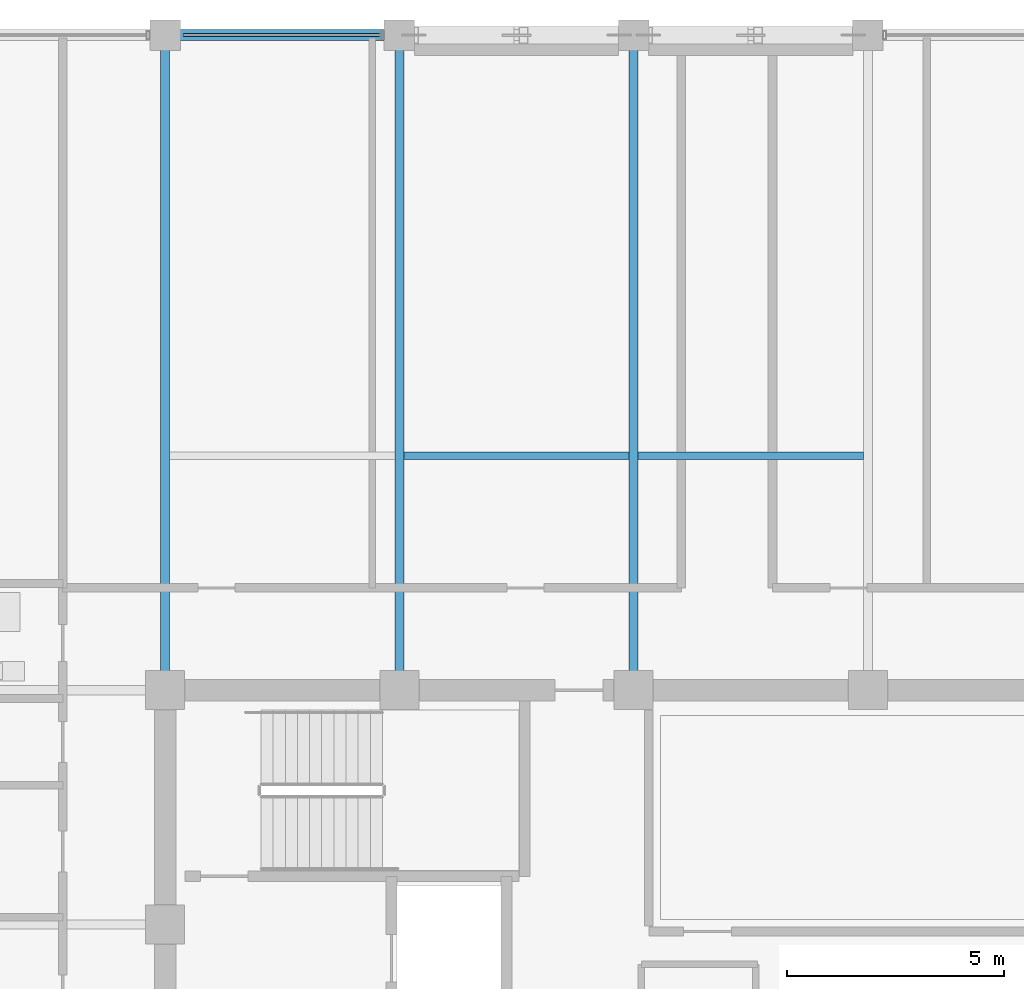
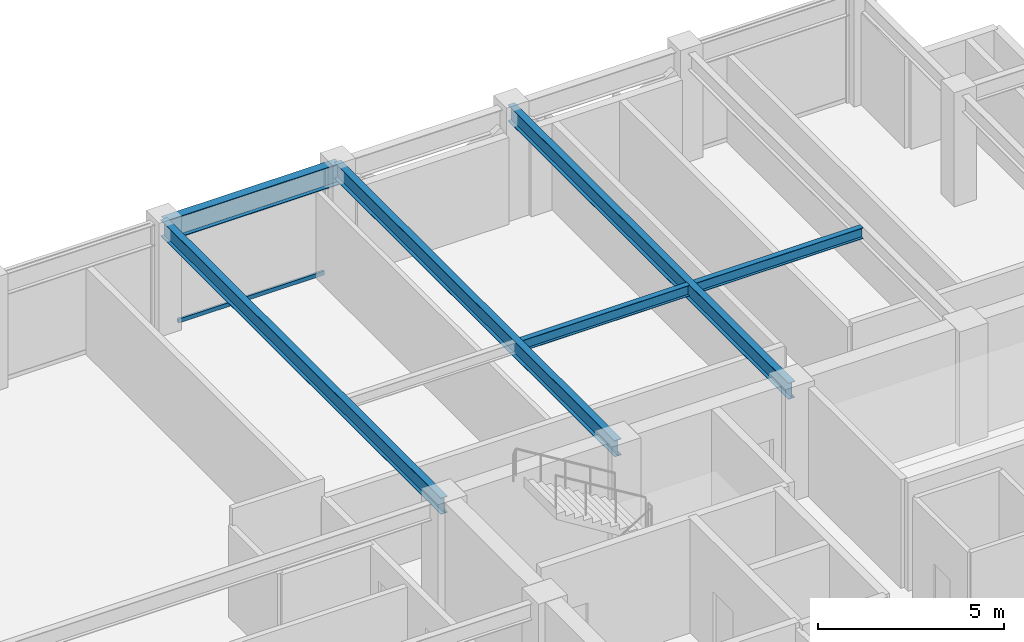
# One storey, part 18 of 30: 6 beams, 1 member, 1 element without a shape of its own.
"""IFC4 building model written with IfcOpenShell, lengths in metres."""

from ifc_helpers import new_model, si_unit, direction, frame, origin, origin_2d, place, context, subcontext, project, spatial, hollow_rectangle, i_section, extrude, material, layer, layer_set, material_profile, profile_set, type_object, element, aggregate, save


model = new_model("IFC4")

# Units and contexts
model_context = context("Model", 3, precision=1e-05, world=origin(), true_north=direction((0.0, 1.0)))
body_context = subcontext(model_context, "Body", "Model", "MODEL_VIEW")
ifc_project = project(units=[si_unit("LENGTHUNIT", "METRE"), si_unit("AREAUNIT", "SQUARE_METRE"), si_unit("VOLUMEUNIT", "CUBIC_METRE"), si_unit("PLANEANGLEUNIT", "RADIAN"), si_unit("MASSUNIT", "GRAM", prefix="KILO")], contexts=[model_context])

# Site, building, storey
site_placement = place(None, origin())
site = spatial("IfcSite", under=ifc_project, at=site_placement, CompositionType="ELEMENT")
building_placement = place(site_placement, origin())
building = spatial("IfcBuilding", under=site, at=building_placement, Name="Surkhivell Harbour Commons", CompositionType="ELEMENT")
storey_placement = place(building_placement, frame((0.0, 0.0, 296.25)))
storey = spatial("IfcBuildingStorey", under=building, at=storey_placement, Name="L77", CompositionType="ELEMENT", Elevation=296.25)

# Beams
ifc_material_1 = material(Name="Steel S355", Category="steel")
ifc_material_profile_1 = material_profile(ifc_material_1, i_section(OverallWidth=0.2099609375, OverallDepth=0.537109375, WebThickness=0.0107421875, FlangeThickness=0.017333984375, at=origin_2d()), Name="UB533x210x101")
ifc_profile_set_1 = profile_set([ifc_material_profile_1], Name="Steel S355")
beam_type_1 = type_object("IfcBeamType", Name="BM-GRD-533B", PredefinedType="BEAM", material=ifc_profile_set_1)
for number, where, z_axis, x_axis, name in (
    (1, (-10.800048828125, 10.800048828125, 3.301513671875), (0.0, 1.0, 0.0), (-1.0, 0.0, 0.0), "L77 Floor Girder (-10.8,10.8)"),
    (2, (-5.39990234375, 10.800048828125, 3.301513671875), (0.0, 1.0, 0.0), (-1.0, 0.0, 0.0), "L77 Floor Girder (-5.4,10.8)"),
    (3, (0.0, 10.800048828125, 3.301513671875), (0.0, 1.0, 0.0), (-1.0, 0.0, 0.0), "L77 Floor Girder (0.0,10.8)"),
):
    element("IfcBeam", number, at=place(storey_placement, frame(where, z_axis=z_axis, x_axis=x_axis)), inside=storey, type_object=beam_type_1, Name=name, PredefinedType="BEAM", context=body_context, shape_type="SweptSolid", body=[
        extrude(i_section(OverallWidth=0.2099609375, OverallDepth=0.537109375, WebThickness=0.0107421875, FlangeThickness=0.017333984375, at=origin_2d()), origin(), (0.0, 0.0, 1.0), 15.099853515625),
    ])
ifc_material_profile_2 = material_profile(ifc_material_1, i_section(OverallWidth=0.172119140625, OverallDepth=0.35791015625, WebThickness=0.008056640625, FlangeThickness=0.012939453125, at=origin_2d()), Name="UB356x171x57")
ifc_profile_set_2 = profile_set([ifc_material_profile_2], Name="Steel S355")
beam_type_2 = type_object("IfcBeamType", Name="BM-JST-356", PredefinedType="JOIST", material=ifc_profile_set_2)
for number, where, z_axis, x_axis, name in (
    (4, (-5.297119140625, 16.199951171875, 3.39111328125), (1.0, 0.0, 0.0), (0.0, 1.0, 0.0), "L77 North Composite Joist (-5.4)"),
    (5, (0.10302734375, 16.199951171875, 3.39111328125), (1.0, 0.0, 0.0), (0.0, 1.0, 0.0), "L77 North Composite Joist (0.0)"),
):
    element("IfcBeam", number, at=place(storey_placement, frame(where, z_axis=z_axis, x_axis=x_axis)), inside=storey, type_object=beam_type_2, Name=name, PredefinedType="JOIST", context=body_context, shape_type="SweptSolid", body=[
        extrude(i_section(OverallWidth=0.172119140625, OverallDepth=0.35791015625, WebThickness=0.008056640625, FlangeThickness=0.012939453125, at=origin_2d()), origin(), (0.0, 0.0, 1.0), 5.194091796875),
    ])
ifc_material_profile_3 = material_profile(ifc_material_1, i_section(OverallWidth=0.256103515625, OverallDepth=0.693115234375, WebThickness=0.014404296875, FlangeThickness=0.023681640625, at=origin_2d()), Name="UB686x254x170")
ifc_profile_set_3 = profile_set([ifc_material_profile_3], Name="Steel S355")
beam_type_3 = type_object("IfcBeamType", Name="BM-SPN-686", PredefinedType="SPANDREL", material=ifc_profile_set_3)
beam_placement = place(storey_placement, frame((-10.800048828125, 25.89990234375, 3.223388671875), z_axis=(1.0, 0.0, 0.0), x_axis=(0.0, 1.0, 0.0)))
element("IfcBeam", 6, at=beam_placement, inside=storey, type_object=beam_type_3, Name="L77 Tube Spandrel (-10.8,25.9)", PredefinedType="SPANDREL", context=body_context, shape_type="SweptSolid", body=[
    extrude(i_section(OverallWidth=0.256103515625, OverallDepth=0.693115234375, WebThickness=0.014404296875, FlangeThickness=0.023681640625, at=origin_2d()), origin(), (0.0, 0.0, 1.0), 5.400146484375),
])

# Curtain wall, member
ifc_material_2 = material(Name="Anodised pale-metal aluminium and insulated glazing", Category="aluminium")
ifc_layer = layer(ifc_material_2, 0.175048828125)
ifc_layer_set = layer_set([ifc_layer], Name="Anodised pale-metal aluminium and insulated glazing")
curtain_wall_type = type_object("IfcCurtainWallType", Name="CW-SYS-Z4", PredefinedType="NOTDEFINED", material=ifc_layer_set)
curtain_wall_placement = place(storey_placement, origin())
curtain_wall = element("IfcCurtainWall", 7, at=curtain_wall_placement, inside=storey, type_object=curtain_wall_type, Name="L77 Curtain Wall CW-L77-E07S2", PredefinedType="NOTDEFINED")
ifc_material_3 = material(Name="Champagne anodised aluminium alloy 6063-T6", Category="aluminium")
ifc_material_profile_4 = material_profile(ifc_material_3, hollow_rectangle(XDim=0.070068359375, YDim=0.1298828125, WallThickness=0.00341796875, at=origin_2d()), Name="ALU-TRAN-70x130")
ifc_profile_set_4 = profile_set([ifc_material_profile_4], Name="Champagne anodised aluminium alloy 6063-T6")
member_type = type_object("IfcMemberType", Name="CWT-130", PredefinedType="USERDEFINED", material=ifc_profile_set_4)
member_placement = place(storey_placement, frame((-5.826904296875, 25.89990234375, 0.06494140625), z_axis=(-1.0, 0.0, 0.0), x_axis=(0.0, -1.0, 0.0)))
member = element("IfcMember", 8, at=member_placement, type_object=member_type, Name="CW-Z4 transom 1.1", ObjectType="TRANSOM", PredefinedType="USERDEFINED", context=body_context, shape_type="SweptSolid", body=[
    extrude(hollow_rectangle(XDim=0.070068359375, YDim=0.1298828125, WallThickness=0.00341796875, at=origin_2d()), origin(), (0.0, 0.0, 1.0), 4.546142578125),
])
aggregate(curtain_wall, [member])

save(model, "model.ifc")
